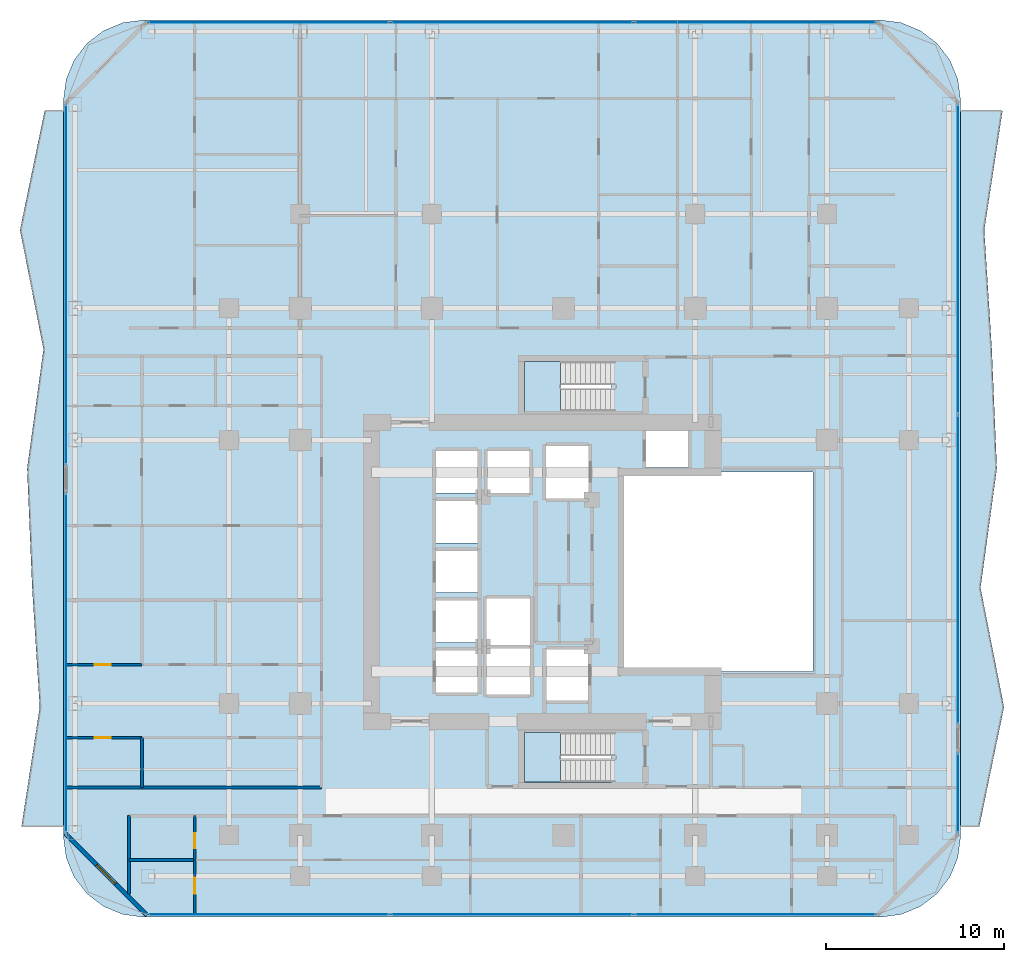
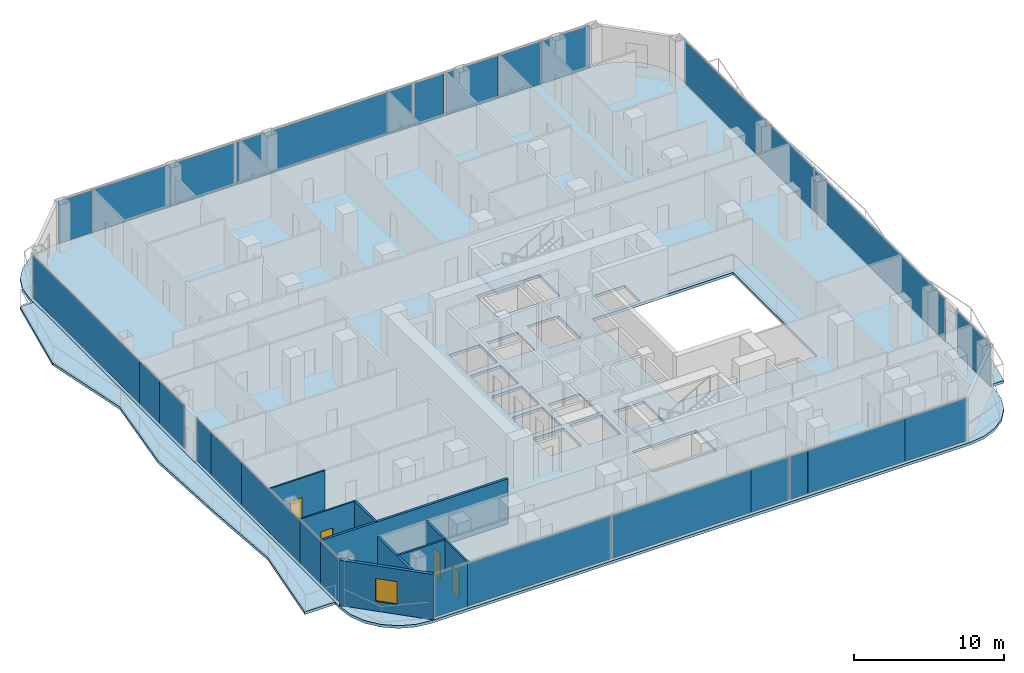
# One storey, part 18 of 28: 26 plates, 9 walls, 5 slabs, 4 doors, 1 window, 5 openings, 8 elements without a shape of their own.
"""IFC4 building model written with IfcOpenShell, lengths in metres."""

from ifc_helpers import new_model, si_unit, direction, frame, frame_2d, origin, origin_2d, place, context, subcontext, project, spatial, polyline, rectangle, outline, extrude, material, layer, layer_set, type_object, element, fill, aggregate, save


model = new_model("IFC4")

# Units and contexts
model_context = context("Model", 3, precision=1e-05, world=origin(), true_north=direction((0.0, 1.0)))
body_context = subcontext(model_context, "Body", "Model", "MODEL_VIEW")
ifc_project = project(units=[si_unit("LENGTHUNIT", "METRE"), si_unit("AREAUNIT", "SQUARE_METRE"), si_unit("VOLUMEUNIT", "CUBIC_METRE"), si_unit("PLANEANGLEUNIT", "RADIAN"), si_unit("MASSUNIT", "GRAM", prefix="KILO")], contexts=[model_context])

# Site, building, storey
site_placement = place(None, origin())
site = spatial("IfcSite", under=ifc_project, at=site_placement, CompositionType="ELEMENT")
building_placement = place(site_placement, origin())
building = spatial("IfcBuilding", under=site, at=building_placement, Name="Khorvyn Point Tower", CompositionType="ELEMENT")
storey_placement = place(building_placement, frame((0.0, 0.0, 100.800048828125)))
storey = spatial("IfcBuildingStorey", under=building, at=storey_placement, Name="L25", CompositionType="ELEMENT", Elevation=100.800048828125)

# Slabs
ifc_material_1 = material(Name="Concrete C35/45", Category="concrete")
ifc_layer_1 = layer(ifc_material_1, 0.219970703125)
ifc_layer_set_1 = layer_set([ifc_layer_1], Name="Concrete C35/45 Structural Floor Slab 220")
slab_type_1 = type_object("IfcSlabType", Name="Concrete C35/45 Structural Floor Slab 220", PredefinedType="FLOOR", material=ifc_layer_set_1)
slab_1_placement = place(storey_placement, frame((0.0, 0.0, -0.219970703125)))
element("IfcSlab", 1, at=slab_1_placement, inside=storey, type_object=slab_type_1, Name="L25 Main Structural Floor Slab", PredefinedType="FLOOR", context=body_context, shape_type="SweptSolid", body=[
    extrude(outline(polyline([(-23.60009765625, -19.39990234375), (-24.7646484375, -19.24658203125), (-25.85009765625, -18.797119140625), (-26.781982421875, -18.08203125), (-27.4970703125, -17.14990234375), (-27.94677734375, -16.064697265625), (-28.10009765625, -14.89990234375), (-28.10009765625, 26.5), (-27.94677734375, 27.664794921875), (-27.4970703125, 28.75), (-26.781982421875, 29.681884765625), (-25.85009765625, 30.397216796875), (-24.7646484375, 30.8466796875), (-23.60009765625, 31.0), (17.800048828125, 31.0), (18.964599609375, 30.8466796875), (20.050048828125, 30.397216796875), (20.98193359375, 29.681884765625), (21.697021484375, 28.75), (22.146728515625, 27.664794921875), (22.300048828125, 26.5), (22.300048828125, -14.89990234375), (22.146728515625, -16.064697265625), (21.697021484375, -17.14990234375), (20.98193359375, -18.08203125), (20.050048828125, -18.797119140625), (18.964599609375, -19.24658203125), (17.800048828125, -19.39990234375), (-23.60009765625, -19.39990234375)]), holes=[polyline([(-4.824951171875, -6.77490234375), (-4.824951171875, -4.425048828125), (-7.175048828125, -4.425048828125), (-7.175048828125, -6.77490234375), (-4.824951171875, -6.77490234375)]), polyline([(-4.324951171875, -6.89990234375), (-1.875, -6.89990234375), (-1.875, -4.300048828125), (-4.324951171875, -4.300048828125), (-4.324951171875, -6.89990234375)]), polyline([(-7.175048828125, -3.97509765625), (-4.824951171875, -3.97509765625), (-4.824951171875, -1.625), (-7.175048828125, -1.625), (-7.175048828125, -3.97509765625)]), polyline([(-7.175048828125, -1.175048828125), (-4.824951171875, -1.175048828125), (-4.824951171875, 1.175048828125), (-7.175048828125, 1.175048828125), (-7.175048828125, -1.175048828125)]), polyline([(-7.175048828125, 1.625), (-4.824951171875, 1.625), (-4.824951171875, 3.97509765625), (-7.175048828125, 3.97509765625), (-7.175048828125, 1.625)]), polyline([(-7.175048828125, 4.425048828125), (-4.824951171875, 4.425048828125), (-4.824951171875, 6.77490234375), (-7.175048828125, 6.77490234375), (-7.175048828125, 4.425048828125)]), polyline([(-4.27490234375, 4.425048828125), (-1.925048828125, 4.425048828125), (-1.925048828125, 6.77490234375), (-4.27490234375, 6.77490234375), (-4.27490234375, 4.425048828125)]), polyline([(2.679931640625, -11.820068359375), (2.679931640625, -9.02001953125), (-2.199951171875, -9.02001953125), (-2.199951171875, -11.820068359375), (2.679931640625, -11.820068359375)]), polyline([(-0.97509765625, -7.22509765625), (1.375, -7.22509765625), (1.375, -4.375), (-0.97509765625, -4.375), (-0.97509765625, -7.22509765625)]), polyline([(-4.324951171875, -4.10009765625), (-1.875, -4.10009765625), (-1.875, -1.5), (-4.324951171875, -1.5), (-4.324951171875, -4.10009765625)]), polyline([(3.199951171875, -5.60009765625), (14.0, -5.60009765625), (14.0, 5.60009765625), (3.199951171875, 5.60009765625), (3.199951171875, -5.60009765625)]), polyline([(-1.0, 4.125), (1.39990234375, 4.125), (1.39990234375, 7.074951171875), (-1.0, 7.074951171875), (-1.0, 4.125)]), polyline([(4.625, 5.85009765625), (6.97509765625, 5.85009765625), (6.97509765625, 7.905029296875), (4.625, 7.905029296875), (4.625, 5.85009765625)]), polyline([(-2.199951171875, 9.02001953125), (2.679931640625, 9.02001953125), (2.679931640625, 11.820068359375), (-2.199951171875, 11.820068359375), (-2.199951171875, 9.02001953125)])]), origin(), (0.0, 0.0, 1.0), 0.219970703125),
])
ifc_material_2 = material(Name="Concrete C40/50", Category="concrete")
ifc_layer_2 = layer(ifc_material_2, 0.2099609375)
ifc_layer_set_2 = layer_set([ifc_layer_2], Name="Concrete C40/50 Rippling Balcony Slab 210")
slab_type_2 = type_object("IfcSlabType", Name="Concrete C40/50 Rippling Balcony Slab 210", PredefinedType="USERDEFINED", material=ifc_layer_set_2)
slab_2_placement = place(storey_placement, frame((0.0, 0.0, -0.2099609375)))
element("IfcSlab", 2, at=slab_2_placement, inside=storey, type_object=slab_type_2, Name="L25 East Sinusoidal Rippling Balcony", ObjectType="BALCONY", PredefinedType="USERDEFINED", context=body_context, shape_type="SweptSolid", body=[
    extrude(outline(polyline([(22.300048828125, -14.300048828125), (23.355224609375, -14.300048828125), (24.739501953125, -7.60009765625), (23.419921875, -0.89990234375), (24.338134765625, 5.800048828125), (24.055419921875, 12.5), (23.630615234375, 19.199951171875), (24.654541015625, 25.89990234375), (22.300048828125, 25.89990234375), (22.300048828125, -14.300048828125)])), origin(), (0.0, 0.0, 1.0), 0.2099609375),
])
slab_3_placement = place(storey_placement, frame((0.0, 0.0, -0.2099609375)))
element("IfcSlab", 3, at=slab_3_placement, inside=storey, type_object=slab_type_2, Name="L25 West Sinusoidal Rippling Balcony", ObjectType="BALCONY", PredefinedType="USERDEFINED", context=body_context, shape_type="SweptSolid", body=[
    extrude(outline(polyline([(-28.10009765625, 25.89990234375), (-29.1552734375, 25.89990234375), (-30.53955078125, 19.199951171875), (-29.219970703125, 12.5), (-30.13818359375, 5.800048828125), (-29.85546875, -0.89990234375), (-29.4306640625, -7.60009765625), (-30.45458984375, -14.300048828125), (-28.10009765625, -14.300048828125), (-28.10009765625, 25.89990234375)])), origin(), (0.0, 0.0, 1.0), 0.2099609375),
])

# Stair, slab
stair_type = type_object("IfcStairType", Name="Tower Concrete C40/50 Dogleg Exit Stair", PredefinedType="HALF_TURN_STAIR", material=ifc_material_2)
stair_1_placement = place(storey_placement, origin())
stair_1 = element("IfcStair", 4, at=stair_1_placement, inside=storey, type_object=stair_type, Name="L25 Tower Smokeproof Exit Stair South", PredefinedType="HALF_TURN_STAIR")
ifc_layer_3 = layer(ifc_material_2, 0.199951171875)
ifc_layer_set_3 = layer_set([ifc_layer_3], Name="Concrete C40/50 Stair Landing Slab 200")
slab_type_3 = type_object("IfcSlabType", Name="Concrete C40/50 Stair Landing Slab 200", PredefinedType="LANDING", material=ifc_layer_set_3)
slab_4_placement = place(storey_placement, frame((0.0, 0.0, 1.75)))
slab_4 = element("IfcSlab", 5, at=slab_4_placement, type_object=slab_type_3, Name="ST-01 landing 1", PredefinedType="LANDING", context=body_context, shape_type="SweptSolid", body=[
    extrude(outline(polyline([(-0.179931640625, -9.02001953125), (-2.199951171875, -9.02001953125), (-2.199951171875, -11.820068359375), (-0.179931640625, -11.820068359375), (-0.179931640625, -9.02001953125)])), origin(), (0.0, 0.0, 1.0), 0.199951171875),
])
aggregate(stair_1, [slab_4])

stair_2_placement = place(storey_placement, origin())
stair_2 = element("IfcStair", 6, at=stair_2_placement, inside=storey, type_object=stair_type, Name="L25 Tower Smokeproof Exit Stair North", PredefinedType="HALF_TURN_STAIR")
slab_5_placement = place(storey_placement, frame((0.0, 0.0, 1.75)))
slab_5 = element("IfcSlab", 7, at=slab_5_placement, type_object=slab_type_3, Name="ST-02 landing 1", PredefinedType="LANDING", context=body_context, shape_type="SweptSolid", body=[
    extrude(outline(polyline([(-0.179931640625, 11.820068359375), (-2.199951171875, 11.820068359375), (-2.199951171875, 9.02001953125), (-0.179931640625, 9.02001953125), (-0.179931640625, 11.820068359375)])), origin(), (0.0, 0.0, 1.0), 0.199951171875),
])
aggregate(stair_2, [slab_5])

# Curtain wall, plates
ifc_material_3 = material(Name="Anodised aluminium 6063-T6 and laminated Low-E glass", Category="aluminium")
ifc_layer_4 = layer(ifc_material_3, 0.18994140625)
ifc_layer_set_4 = layer_set([ifc_layer_4], Name="Stick-Built Finned Residential Curtain Wall CW-SYS-02")
curtain_wall_type = type_object("IfcCurtainWallType", Name="Stick-Built Finned Residential Curtain Wall CW-SYS-02", PredefinedType="NOTDEFINED", material=ifc_layer_set_4)
curtain_wall_1_placement = place(storey_placement, origin())
curtain_wall_1 = element("IfcCurtainWall", 8, at=curtain_wall_1_placement, inside=storey, type_object=curtain_wall_type, Name="Curtain Wall", PredefinedType="NOTDEFINED")
ifc_material_4 = material(Name="Laminated Low-E insulated glass", Category="glass")
ifc_layer_5 = layer(ifc_material_4, 0.028076171875)
ifc_layer_set_5 = layer_set([ifc_layer_5], Name="Tempered Low-E Vision Glazing Panel CW-GL28")
plate_type = type_object("IfcPlateType", Name="Tempered Low-E Vision Glazing Panel CW-GL28", PredefinedType="CURTAIN_PANEL", material=ifc_layer_set_5)
plate_1_placement = place(storey_placement, frame((4.695068359375, -19.25, 0.099853515625), z_axis=(0.0, 0.0, 1.0), x_axis=(-1.0, 0.0, 0.0)))
plate_1 = element("IfcPlate", 9, at=plate_1_placement, type_object=plate_type, Name="Panel", PredefinedType="CURTAIN_PANEL", context=body_context, shape_type="SweptSolid", body=[
    extrude(rectangle(XDim=1.382080078125, YDim=0.028076171875, at=origin_2d()), origin(), (0.0, 0.0, 1.0), 3.47998046875),
])
plate_2_placement = place(storey_placement, frame((9.132080078125, -19.25, 0.099853515625), z_axis=(0.0, 0.0, 1.0), x_axis=(-1.0, 0.0, 0.0)))
plate_2 = element("IfcPlate", 10, at=plate_2_placement, type_object=plate_type, Name="Panel", PredefinedType="CURTAIN_PANEL", context=body_context, shape_type="SweptSolid", body=[
    extrude(rectangle(XDim=7.47607421875, YDim=0.028076171875, at=origin_2d()), origin(), (0.0, 0.0, 1.0), 3.47998046875),
])
plate_3_placement = place(storey_placement, frame((15.2119140625, -19.25, 0.099853515625), z_axis=(0.0, 0.0, 1.0), x_axis=(-1.0, 0.0, 0.0)))
plate_3 = element("IfcPlate", 11, at=plate_3_placement, type_object=plate_type, Name="Panel", PredefinedType="CURTAIN_PANEL", context=body_context, shape_type="SweptSolid", body=[
    extrude(rectangle(XDim=4.66796875, YDim=0.028076171875, at=origin_2d()), origin(), (0.0, 0.0, 1.0), 3.47998046875),
])
plate_4_placement = place(storey_placement, frame((-4.3330078125, -19.25, 0.099853515625), z_axis=(0.0, 0.0, 1.0), x_axis=(-1.0, 0.0, 0.0)))
plate_4 = element("IfcPlate", 12, at=plate_4_placement, type_object=plate_type, Name="Panel", PredefinedType="CURTAIN_PANEL", context=body_context, shape_type="SweptSolid", body=[
    extrude(rectangle(XDim=10.72607421875, YDim=0.028076171875, at=origin_2d()), origin(), (0.0, 0.0, 1.0), 3.47998046875),
])
plate_5_placement = place(storey_placement, frame((2.467041015625, -19.25, 0.099853515625), z_axis=(0.0, 0.0, 1.0), x_axis=(-1.0, 0.0, 0.0)))
plate_5 = element("IfcPlate", 13, at=plate_5_placement, type_object=plate_type, Name="Panel", PredefinedType="CURTAIN_PANEL", context=body_context, shape_type="SweptSolid", body=[
    extrude(rectangle(XDim=2.85791015625, YDim=0.028076171875, at=origin_2d()), origin(), (0.0, 0.0, 1.0), 3.47998046875),
])
plate_6_placement = place(storey_placement, frame((-22.0673828125, -19.25, 0.099853515625), z_axis=(0.0, 0.0, 1.0), x_axis=(-1.0, 0.0, 0.0)))
plate_6 = element("IfcPlate", 14, at=plate_6_placement, type_object=plate_type, Name="Panel", PredefinedType="CURTAIN_PANEL", context=body_context, shape_type="SweptSolid", body=[
    extrude(rectangle(XDim=2.556884765625, YDim=0.028076171875, at=origin_2d()), origin(), (0.0, 0.0, 1.0), 3.47998046875),
])
plate_7_placement = place(storey_placement, frame((-15.29248046875, -19.25, 0.099853515625), z_axis=(0.0, 0.0, 1.0), x_axis=(-1.0, 0.0, 0.0)))
plate_7 = element("IfcPlate", 15, at=plate_7_placement, type_object=plate_type, Name="Panel", PredefinedType="CURTAIN_PANEL", context=body_context, shape_type="SweptSolid", body=[
    extrude(rectangle(XDim=10.97705078125, YDim=0.028076171875, at=origin_2d()), origin(), (0.0, 0.0, 1.0), 3.47998046875),
])
aggregate(curtain_wall_1, [plate_1, plate_2, plate_3, plate_4, plate_5, plate_6, plate_7])

curtain_wall_2_placement = place(storey_placement, origin())
curtain_wall_2 = element("IfcCurtainWall", 16, at=curtain_wall_2_placement, inside=storey, type_object=curtain_wall_type, Name="Curtain Wall", PredefinedType="NOTDEFINED")
plate_8_placement = place(storey_placement, frame((-19.049072265625, 30.85009765625, 0.099853515625), z_axis=(0.0, 0.0, 1.0), x_axis=(1.0, 0.0, 0.0)))
plate_8 = element("IfcPlate", 17, at=plate_8_placement, type_object=plate_type, Name="Panel", PredefinedType="CURTAIN_PANEL", context=body_context, shape_type="SweptSolid", body=[
    extrude(rectangle(XDim=8.593994140625, YDim=0.028076171875, at=origin_2d()), origin(), (0.0, 0.0, 1.0), 3.47998046875),
])
plate_9_placement = place(storey_placement, frame((-12.27392578125, 30.85009765625, 0.099853515625), z_axis=(0.0, 0.0, 1.0), x_axis=(1.0, 0.0, 0.0)))
plate_9 = element("IfcPlate", 18, at=plate_9_placement, type_object=plate_type, Name="Panel", PredefinedType="CURTAIN_PANEL", context=body_context, shape_type="SweptSolid", body=[
    extrude(rectangle(XDim=4.93994140625, YDim=0.028076171875, at=origin_2d()), origin(), (0.0, 0.0, 1.0), 3.47998046875),
])
plate_10_placement = place(storey_placement, frame((-3.83642578125, 30.85009765625, 0.099853515625), z_axis=(0.0, 0.0, 1.0), x_axis=(1.0, 0.0, 0.0)))
plate_10 = element("IfcPlate", 19, at=plate_10_placement, type_object=plate_type, Name="Panel", PredefinedType="CURTAIN_PANEL", context=body_context, shape_type="SweptSolid", body=[
    extrude(rectangle(XDim=11.718994140625, YDim=0.028076171875, at=origin_2d()), origin(), (0.0, 0.0, 1.0), 3.47998046875),
])
plate_11_placement = place(storey_placement, frame((2.96337890625, 30.85009765625, 0.099853515625), z_axis=(0.0, 0.0, 1.0), x_axis=(1.0, 0.0, 0.0)))
plate_11 = element("IfcPlate", 20, at=plate_11_placement, type_object=plate_type, Name="Panel", PredefinedType="CURTAIN_PANEL", context=body_context, shape_type="SweptSolid", body=[
    extrude(rectangle(XDim=1.864990234375, YDim=0.028076171875, at=origin_2d()), origin(), (0.0, 0.0, 1.0), 3.47998046875),
])
plate_12_placement = place(storey_placement, frame((5.172119140625, 30.85009765625, 0.099853515625), z_axis=(0.0, 0.0, 1.0), x_axis=(1.0, 0.0, 0.0)))
plate_12 = element("IfcPlate", 21, at=plate_12_placement, type_object=plate_type, Name="Panel", PredefinedType="CURTAIN_PANEL", context=body_context, shape_type="SweptSolid", body=[
    extrude(rectangle(XDim=2.3359375, YDim=0.028076171875, at=origin_2d()), origin(), (0.0, 0.0, 1.0), 3.47998046875),
])
plate_13_placement = place(storey_placement, frame((8.468505859375, 30.85009765625, 0.099853515625), z_axis=(0.0, 0.0, 1.0), x_axis=(1.0, 0.0, 0.0)))
plate_13 = element("IfcPlate", 22, at=plate_13_placement, type_object=plate_type, Name="Panel", PredefinedType="CURTAIN_PANEL", context=body_context, shape_type="SweptSolid", body=[
    extrude(rectangle(XDim=4.0009765625, YDim=0.028076171875, at=origin_2d()), origin(), (0.0, 0.0, 1.0), 3.47998046875),
])
plate_14_placement = place(storey_placement, frame((12.157958984375, 30.85009765625, 0.099853515625), z_axis=(0.0, 0.0, 1.0), x_axis=(1.0, 0.0, 0.0)))
plate_14 = element("IfcPlate", 23, at=plate_14_placement, type_object=plate_type, Name="Panel", PredefinedType="CURTAIN_PANEL", context=body_context, shape_type="SweptSolid", body=[
    extrude(rectangle(XDim=3.362060546875, YDim=0.028076171875, at=origin_2d()), origin(), (0.0, 0.0, 1.0), 3.47998046875),
])
plate_15_placement = place(storey_placement, frame((15.696533203125, 30.85009765625, 0.099853515625), z_axis=(0.0, 0.0, 1.0), x_axis=(1.0, 0.0, 0.0)))
plate_15 = element("IfcPlate", 24, at=plate_15_placement, type_object=plate_type, Name="Panel", PredefinedType="CURTAIN_PANEL", context=body_context, shape_type="SweptSolid", body=[
    extrude(rectangle(XDim=3.698974609375, YDim=0.028076171875, at=origin_2d()), origin(), (0.0, 0.0, 1.0), 3.47998046875),
])
aggregate(curtain_wall_2, [plate_8, plate_9, plate_10, plate_11, plate_12, plate_13, plate_14, plate_15])

curtain_wall_3_placement = place(storey_placement, origin())
curtain_wall_3 = element("IfcCurtainWall", 25, at=curtain_wall_3_placement, inside=storey, type_object=curtain_wall_type, Name="Curtain Wall", PredefinedType="NOTDEFINED")
plate_16_placement = place(storey_placement, frame((-27.949951171875, -13.35498046875, 0.099853515625), z_axis=(0.0, 0.0, 1.0), x_axis=(0.0, 1.0, 0.0)))
plate_16 = element("IfcPlate", 26, at=plate_16_placement, type_object=plate_type, Name="Panel", PredefinedType="CURTAIN_PANEL", context=body_context, shape_type="SweptSolid", body=[
    extrude(rectangle(XDim=2.58203125, YDim=0.028076171875, at=origin_2d()), origin(), (0.0, 0.0, 1.0), 3.47998046875),
])
plate_17_placement = place(storey_placement, frame((-27.949951171875, -10.719970703125, 0.099853515625), z_axis=(0.0, 0.0, 1.0), x_axis=(0.0, 1.0, 0.0)))
plate_17 = element("IfcPlate", 27, at=plate_17_placement, type_object=plate_type, Name="Panel", PredefinedType="CURTAIN_PANEL", context=body_context, shape_type="SweptSolid", body=[
    extrude(rectangle(XDim=2.672119140625, YDim=0.028076171875, at=origin_2d()), origin(), (0.0, 0.0, 1.0), 3.47998046875),
])
plate_18_placement = place(storey_placement, frame((-27.949951171875, -5.4599609375, 0.099853515625), z_axis=(0.0, 0.0, 1.0), x_axis=(0.0, 1.0, 0.0)))
plate_18 = element("IfcPlate", 28, at=plate_18_placement, type_object=plate_type, Name="Panel", PredefinedType="CURTAIN_PANEL", context=body_context, shape_type="SweptSolid", body=[
    extrude(rectangle(XDim=7.83203125, YDim=0.028076171875, at=origin_2d()), origin(), (0.0, 0.0, 1.0), 3.47998046875),
])
plate_19_placement = place(storey_placement, frame((-27.949951171875, 0.49560546875, 0.099853515625), z_axis=(0.0, 0.0, 1.0), x_axis=(0.0, 1.0, 0.0)))
plate_19 = element("IfcPlate", 29, at=plate_19_placement, type_object=plate_type, Name="Panel", PredefinedType="CURTAIN_PANEL", context=body_context, shape_type="SweptSolid", body=[
    extrude(rectangle(XDim=4.06298828125, YDim=0.028076171875, at=origin_2d()), origin(), (0.0, 0.0, 1.0), 3.47998046875),
])
plate_20_placement = place(storey_placement, frame((-27.949951171875, 3.46044921875, 0.099853515625), z_axis=(0.0, 0.0, 1.0), x_axis=(0.0, 1.0, 0.0)))
plate_20 = element("IfcPlate", 30, at=plate_20_placement, type_object=plate_type, Name="Panel", PredefinedType="CURTAIN_PANEL", context=body_context, shape_type="SweptSolid", body=[
    extrude(rectangle(XDim=1.85107421875, YDim=0.028076171875, at=origin_2d()), origin(), (0.0, 0.0, 1.0), 3.47998046875),
])
aggregate(curtain_wall_3, [plate_16, plate_17, plate_18, plate_19, plate_20])

curtain_wall_4_placement = place(storey_placement, origin())
curtain_wall_4 = element("IfcCurtainWall", 31, at=curtain_wall_4_placement, inside=storey, type_object=curtain_wall_type, Name="Curtain Wall", PredefinedType="NOTDEFINED")
plate_21_placement = place(storey_placement, frame((-27.949951171875, 7.705078125, 0.099853515625), z_axis=(0.0, 0.0, 1.0), x_axis=(0.0, 1.0, 0.0)))
plate_21 = element("IfcPlate", 32, at=plate_21_placement, type_object=plate_type, Name="Panel", PredefinedType="CURTAIN_PANEL", context=body_context, shape_type="SweptSolid", body=[
    extrude(rectangle(XDim=3.342041015625, YDim=0.028076171875, at=origin_2d()), origin(), (0.0, 0.0, 1.0), 3.47998046875),
])
plate_22_placement = place(storey_placement, frame((-27.949951171875, 10.719970703125, 0.099853515625), z_axis=(0.0, 0.0, 1.0), x_axis=(0.0, 1.0, 0.0)))
plate_22 = element("IfcPlate", 33, at=plate_22_placement, type_object=plate_type, Name="Panel", PredefinedType="CURTAIN_PANEL", context=body_context, shape_type="SweptSolid", body=[
    extrude(rectangle(XDim=2.672119140625, YDim=0.028076171875, at=origin_2d()), origin(), (0.0, 0.0, 1.0), 3.47998046875),
])
plate_23_placement = place(storey_placement, frame((-27.949951171875, 19.155029296875, 0.099853515625), z_axis=(0.0, 0.0, 1.0), x_axis=(0.0, 1.0, 0.0)))
plate_23 = element("IfcPlate", 34, at=plate_23_placement, type_object=plate_type, Name="Panel", PredefinedType="CURTAIN_PANEL", context=body_context, shape_type="SweptSolid", body=[
    extrude(rectangle(XDim=14.181884765625, YDim=0.028076171875, at=origin_2d()), origin(), (0.0, 0.0, 1.0), 3.47998046875),
])
aggregate(curtain_wall_4, [plate_21, plate_22, plate_23])

curtain_wall_5_placement = place(storey_placement, origin())
curtain_wall_5 = element("IfcCurtainWall", 35, at=curtain_wall_5_placement, inside=storey, type_object=curtain_wall_type, Name="Curtain Wall", PredefinedType="NOTDEFINED")
plate_24_placement = place(storey_placement, frame((22.14990234375, 17.57568359375, 0.099853515625), z_axis=(0.0, 0.0, 1.0), x_axis=(0.0, -1.0, 0.0)))
plate_24 = element("IfcPlate", 36, at=plate_24_placement, type_object=plate_type, Name="Panel", PredefinedType="CURTAIN_PANEL", context=body_context, shape_type="SweptSolid", body=[
    extrude(rectangle(XDim=17.348388671875, YDim=0.028076171875, at=origin_2d()), origin(), (0.0, 0.0, 1.0), 3.47998046875),
])
plate_25_placement = place(storey_placement, frame((22.14990234375, 0.127197265625, 0.099853515625), z_axis=(0.0, 0.0, 1.0), x_axis=(0.0, -1.0, 0.0)))
plate_25 = element("IfcPlate", 37, at=plate_25_placement, type_object=plate_type, Name="Panel", PredefinedType="CURTAIN_PANEL", context=body_context, shape_type="SweptSolid", body=[
    extrude(rectangle(XDim=17.348388671875, YDim=0.028076171875, at=origin_2d()), origin(), (0.0, 0.0, 1.0), 3.47998046875),
])
aggregate(curtain_wall_5, [plate_24, plate_25])

# Curtain wall, plate
curtain_wall_6_placement = place(storey_placement, origin())
curtain_wall_6 = element("IfcCurtainWall", 38, at=curtain_wall_6_placement, inside=storey, type_object=curtain_wall_type, Name="Curtain Wall", PredefinedType="NOTDEFINED")
plate_26_placement = place(storey_placement, frame((22.14990234375, -12.41845703125, 0.099853515625), z_axis=(0.0, 0.0, 1.0), x_axis=(0.0, -1.0, 0.0)))
plate_26 = element("IfcPlate", 39, at=plate_26_placement, type_object=plate_type, Name="Panel", PredefinedType="CURTAIN_PANEL", context=body_context, shape_type="SweptSolid", body=[
    extrude(rectangle(XDim=4.462890625, YDim=0.028076171875, at=origin_2d()), origin(), (0.0, 0.0, 1.0), 3.47998046875),
])
aggregate(curtain_wall_6, [plate_26])

# Walls
ifc_material_5 = material(Name="Double acoustic gypsum on twin steel stud", Category="steel")
ifc_layer_6 = layer(ifc_material_5, 0.179931640625)
ifc_layer_set_6 = layer_set([ifc_layer_6], Name="Acoustic Double-Stud Apartment Demising Wall 180")
wall_type_1 = type_object("IfcWallType", Name="Acoustic Double-Stud Apartment Demising Wall 180", PredefinedType="PARTITIONING", material=ifc_layer_set_6)
wall_1_placement = place(storey_placement, frame((-24.419921875, -18.110107421875, 0.0), z_axis=(0.0, 0.0, 1.0), x_axis=(0.0, 1.0, 0.0)))
element("IfcWall", 40, at=wall_1_placement, inside=storey, type_object=wall_type_1, Name="Wall", PredefinedType="PARTITIONING", context=body_context, shape_type="SweptSolid", body=[
    extrude(rectangle(XDim=4.41015625, YDim=0.179931640625, at=frame_2d((2.205078125, 0.0))), origin(), (0.0, 0.0, 1.0), 3.679931640625),
])
wall_2_placement = place(storey_placement, frame((-27.929931640625, -12.1201171875, 0.0), z_axis=(0.0, 0.0, 1.0), x_axis=(1.0, 0.0, 0.0)))
element("IfcWall", 41, at=wall_2_placement, inside=storey, type_object=wall_type_1, Name="Wall", PredefinedType="PARTITIONING", context=body_context, shape_type="SweptSolid", body=[
    extrude(rectangle(XDim=14.329833984375, YDim=0.179931640625, at=frame_2d((7.1650390625, 0.0))), origin(), (0.0, 0.0, 1.0), 3.679931640625),
])

# Wall, opening, window
ifc_material_6 = material(Name="Pale anodised aluminium rainscreen on steel stud", Category="steel")
ifc_layer_7 = layer(ifc_material_6, 0.239990234375)
ifc_layer_set_7 = layer_set([ifc_layer_7], Name="Anodised Aluminium Insulated Corner Spandrel Wall 240")
wall_type_2 = type_object("IfcWallType", Name="Anodised Aluminium Insulated Corner Spandrel Wall 240", PredefinedType="SOLIDWALL", material=ifc_layer_set_7)
wall_3_placement = place(storey_placement, frame((-23.40771484375, -19.29248046875, 0.0), z_axis=(0.0, 0.0, 1.0), x_axis=(-0.707087954376, 0.707125607496, 0.0)))
wall_3 = element("IfcWall", 42, at=wall_3_placement, inside=storey, type_object=wall_type_2, Name="L25 Rounded Corner Wall SW", PredefinedType="SOLIDWALL", context=body_context, shape_type="SweptSolid", body=[
    extrude(rectangle(XDim=6.48388671875, YDim=0.239990234375, at=frame_2d((3.241943359375, 0.0))), origin(), (0.0, 0.0, 1.0), 3.679931640625),
])
opening_1_placement = place(wall_3_placement, frame((2.491943359375, 0.0, 0.800048828125)))
opening_1 = element("IfcOpeningElement", 43, at=opening_1_placement, cuts=wall_3, Name="Opening WN-1518", PredefinedType="OPENING", context=body_context, shape_type="SweptSolid", body=[
    extrude(rectangle(XDim=1.5, YDim=1.85009765625, at=frame_2d((0.75, 0.925048828125))), frame((0.0, 0.1298828125, 0.0), z_axis=(0.0, -1.0, 0.0), x_axis=(1.0, 0.0, 0.0)), (0.0, 0.0, 1.0), 0.260009765625),
])
window_type = type_object("IfcWindowType", Name="Anodised Aluminium Rounded-Corner Panoramic Window 1500x1850", PartitioningType="SINGLE_PANEL", PredefinedType="WINDOW", material=ifc_material_3)
window_placement = place(opening_1_placement, origin())
window = element("IfcWindow", 44, at=window_placement, inside=storey, type_object=window_type, Name="L25 Corner Panoramic Window SW", OverallHeight=1.85009765625, OverallWidth=1.5, PartitioningType="SINGLE_PANEL", PredefinedType="WINDOW", context=body_context, shape_type="SweptSolid", body=[
    extrude(rectangle(XDim=1.5, YDim=1.85009765625, at=frame_2d((0.75, 0.925048828125))), frame((0.0, 0.030029296875, 0.0), z_axis=(0.0, -1.0, 0.0), x_axis=(1.0, 0.0, 0.0)), (0.0, 0.0, 1.0), 0.06005859375),
])
fill(opening_1, window)

# Wall, opening, door
ifc_material_7 = material(Name="Gypsum plasterboard on steel stud", Category="steel")
ifc_layer_8 = layer(ifc_material_7, 0.1201171875)
ifc_layer_set_8 = layer_set([ifc_layer_8], Name="Gypsum Acoustic Stud Room Partition Wall 120")
wall_type_3 = type_object("IfcWallType", Name="Gypsum Acoustic Stud Room Partition Wall 120", PredefinedType="PARTITIONING", material=ifc_layer_set_8)
wall_4_placement = place(storey_placement, frame((-20.72509765625, -19.22998046875, 0.0), z_axis=(0.0, 0.0, 1.0), x_axis=(0.0, 1.0, 0.0)))
wall_4 = element("IfcWall", 45, at=wall_4_placement, inside=storey, type_object=wall_type_3, Name="Wall", PredefinedType="PARTITIONING", context=body_context, shape_type="SweptSolid", body=[
    extrude(rectangle(XDim=3.0400390625, YDim=0.1201171875, at=frame_2d((1.52001953125, 0.0))), origin(), (0.0, 0.0, 1.0), 3.679931640625),
])
opening_2_placement = place(wall_4_placement, frame((1.152587890625, 0.0, 0.0)))
opening_2 = element("IfcOpeningElement", 46, at=opening_2_placement, cuts=wall_4, Name="Opening ID-RM90", PredefinedType="OPENING", context=body_context, shape_type="SweptSolid", body=[
    extrude(rectangle(XDim=0.89990234375, YDim=2.10009765625, at=frame_2d((0.449951171875, 1.050048828125))), frame((0.0, 0.070068359375, 0.0), z_axis=(0.0, -1.0, 0.0), x_axis=(1.0, 0.0, 0.0)), (0.0, 0.0, 1.0), 0.14013671875),
])
ifc_material_8 = material(Name="Engineered oak veneer timber", Category="wood")
door_type_1 = type_object("IfcDoorType", Name="Flush Engineered Timber Room Door 900x2100", OperationType="NOTDEFINED", PredefinedType="DOOR", material=ifc_material_8)
door_1_placement = place(opening_2_placement, origin())
door_1 = element("IfcDoor", 47, at=door_1_placement, inside=storey, type_object=door_type_1, Name="Door", OperationType="SINGLE_SWING_LEFT", OverallHeight=2.10009765625, OverallWidth=0.89990234375, PredefinedType="DOOR", context=body_context, shape_type="SweptSolid", body=[
    extrude(rectangle(XDim=0.89990234375, YDim=2.10009765625, at=frame_2d((0.449951171875, 1.050048828125))), frame((0.0, 0.02490234375, 0.0), z_axis=(0.0, -1.0, 0.0), x_axis=(1.0, 0.0, 0.0)), (0.0, 0.0, 1.0), 0.050048828125),
])
fill(opening_2, door_1)

wall_5_placement = place(storey_placement, frame((-27.929931640625, -9.320068359375, 0.0), z_axis=(0.0, 0.0, 1.0), x_axis=(1.0, 0.0, 0.0)))
wall_5 = element("IfcWall", 48, at=wall_5_placement, inside=storey, type_object=wall_type_3, Name="Wall", PredefinedType="PARTITIONING", context=body_context, shape_type="SweptSolid", body=[
    extrude(rectangle(XDim=4.239990234375, YDim=0.1201171875, at=frame_2d((2.1201171875, 0.0))), origin(), (0.0, 0.0, 1.0), 3.679931640625),
])
opening_3_placement = place(wall_5_placement, frame((1.581298828125, 0.0, 0.0)))
opening_3 = element("IfcOpeningElement", 49, at=opening_3_placement, cuts=wall_5, Name="Opening ID-RM90", PredefinedType="OPENING", context=body_context, shape_type="SweptSolid", body=[
    extrude(rectangle(XDim=0.89990234375, YDim=2.10009765625, at=frame_2d((0.449951171875, 1.050048828125))), frame((0.0, 0.070068359375, 0.0), z_axis=(0.0, -1.0, 0.0), x_axis=(1.0, 0.0, 0.0)), (0.0, 0.0, 1.0), 0.14013671875),
])
door_2_placement = place(opening_3_placement, origin())
door_2 = element("IfcDoor", 50, at=door_2_placement, inside=storey, type_object=door_type_1, Name="Door", OperationType="SINGLE_SWING_LEFT", OverallHeight=2.10009765625, OverallWidth=0.89990234375, PredefinedType="DOOR", context=body_context, shape_type="SweptSolid", body=[
    extrude(rectangle(XDim=0.89990234375, YDim=2.10009765625, at=frame_2d((0.449951171875, 1.050048828125))), frame((0.0, 0.02490234375, 0.0), z_axis=(0.0, -1.0, 0.0), x_axis=(1.0, 0.0, 0.0)), (0.0, 0.0, 1.0), 0.050048828125),
])
fill(opening_3, door_2)

wall_6_placement = place(storey_placement, frame((-27.929931640625, -5.22412109375, 0.0), z_axis=(0.0, 0.0, 1.0), x_axis=(1.0, 0.0, 0.0)))
wall_6 = element("IfcWall", 51, at=wall_6_placement, inside=storey, type_object=wall_type_3, Name="Wall", PredefinedType="PARTITIONING", context=body_context, shape_type="SweptSolid", body=[
    extrude(rectangle(XDim=4.239990234375, YDim=0.1201171875, at=frame_2d((2.1201171875, 0.0))), origin(), (0.0, 0.0, 1.0), 3.679931640625),
])
opening_4_placement = place(wall_6_placement, frame((1.581298828125, 0.0, 0.0)))
opening_4 = element("IfcOpeningElement", 52, at=opening_4_placement, cuts=wall_6, Name="Opening ID-RM90", PredefinedType="OPENING", context=body_context, shape_type="SweptSolid", body=[
    extrude(rectangle(XDim=0.89990234375, YDim=2.10009765625, at=frame_2d((0.449951171875, 1.050048828125))), frame((0.0, 0.070068359375, 0.0), z_axis=(0.0, -1.0, 0.0), x_axis=(1.0, 0.0, 0.0)), (0.0, 0.0, 1.0), 0.14013671875),
])
door_3_placement = place(opening_4_placement, origin())
door_3 = element("IfcDoor", 53, at=door_3_placement, inside=storey, type_object=door_type_1, Name="Door", OperationType="SINGLE_SWING_RIGHT", OverallHeight=2.10009765625, OverallWidth=0.89990234375, PredefinedType="DOOR", context=body_context, shape_type="SweptSolid", body=[
    extrude(rectangle(XDim=0.89990234375, YDim=2.10009765625, at=frame_2d((0.449951171875, 1.050048828125))), frame((0.0, 0.02490234375, 0.0), z_axis=(0.0, -1.0, 0.0), x_axis=(1.0, 0.0, 0.0)), (0.0, 0.0, 1.0), 0.050048828125),
])
fill(opening_4, door_3)

ifc_material_9 = material(Name="Moisture-resistant gypsum and cement board", Category="gypsum")
ifc_layer_9 = layer(ifc_material_9, 0.14990234375)
ifc_layer_set_9 = layer_set([ifc_layer_9], Name="Moisture-Resistant Wet-Room Partition Wall 150")
wall_type_4 = type_object("IfcWallType", Name="Moisture-Resistant Wet-Room Partition Wall 150", PredefinedType="PARTITIONING", material=ifc_layer_set_9)
wall_7_placement = place(storey_placement, frame((-20.72509765625, -16.18994140625, 0.0), z_axis=(0.0, 0.0, 1.0), x_axis=(0.0, 1.0, 0.0)))
wall_7 = element("IfcWall", 54, at=wall_7_placement, inside=storey, type_object=wall_type_4, Name="Wall", PredefinedType="PARTITIONING", context=body_context, shape_type="SweptSolid", body=[
    extrude(rectangle(XDim=2.489990234375, YDim=0.14990234375, at=frame_2d((1.2451171875, 0.0))), origin(), (0.0, 0.0, 1.0), 3.679931640625),
])
opening_5_placement = place(wall_7_placement, frame((0.655029296875, 0.0, 0.0)))
opening_5 = element("IfcOpeningElement", 55, at=opening_5_placement, cuts=wall_7, Name="Opening ID-WC85", PredefinedType="OPENING", context=body_context, shape_type="SweptSolid", body=[
    extrude(rectangle(XDim=0.85009765625, YDim=2.10009765625, at=frame_2d((0.425048828125, 1.050048828125))), frame((0.0, 0.0849609375, 0.0), z_axis=(0.0, -1.0, 0.0), x_axis=(1.0, 0.0, 0.0)), (0.0, 0.0, 1.0), 0.169921875),
])
ifc_material_10 = material(Name="High-pressure laminate on moisture-resistant core", Category="wood")
door_type_2 = type_object("IfcDoorType", Name="Moisture-Resistant Accessible Washroom Door 850x2100", OperationType="NOTDEFINED", PredefinedType="DOOR", material=ifc_material_10)
door_4_placement = place(opening_5_placement, origin())
door_4 = element("IfcDoor", 56, at=door_4_placement, inside=storey, type_object=door_type_2, Name="Door", OperationType="SINGLE_SWING_RIGHT", OverallHeight=2.10009765625, OverallWidth=0.85009765625, PredefinedType="DOOR", context=body_context, shape_type="SweptSolid", body=[
    extrude(rectangle(XDim=0.85009765625, YDim=2.10009765625, at=frame_2d((0.425048828125, 1.050048828125))), frame((0.0, 0.02490234375, 0.0), z_axis=(0.0, -1.0, 0.0), x_axis=(1.0, 0.0, 0.0)), (0.0, 0.0, 1.0), 0.050048828125),
])
fill(opening_5, door_4)

# Walls
wall_8_placement = place(storey_placement, frame((-24.419921875, -16.18994140625, 0.0), z_axis=(0.0, 0.0, 1.0), x_axis=(1.0, 0.0, 0.0)))
element("IfcWall", 57, at=wall_8_placement, inside=storey, type_object=wall_type_4, Name="Wall", PredefinedType="PARTITIONING", context=body_context, shape_type="SweptSolid", body=[
    extrude(rectangle(XDim=3.69482421875, YDim=0.14990234375, at=frame_2d((1.847412109375, 0.0))), origin(), (0.0, 0.0, 1.0), 3.679931640625),
])
wall_9_placement = place(storey_placement, frame((-23.68994140625, -12.1201171875, 0.0), z_axis=(0.0, 0.0, 1.0), x_axis=(0.0, 1.0, 0.0)))
element("IfcWall", 58, at=wall_9_placement, inside=storey, type_object=wall_type_4, Name="Wall", PredefinedType="PARTITIONING", context=body_context, shape_type="SweptSolid", body=[
    extrude(rectangle(XDim=2.800048828125, YDim=0.14990234375, at=frame_2d((1.39990234375, 0.0))), origin(), (0.0, 0.0, 1.0), 3.679931640625),
])

save(model, "model.ifc")
